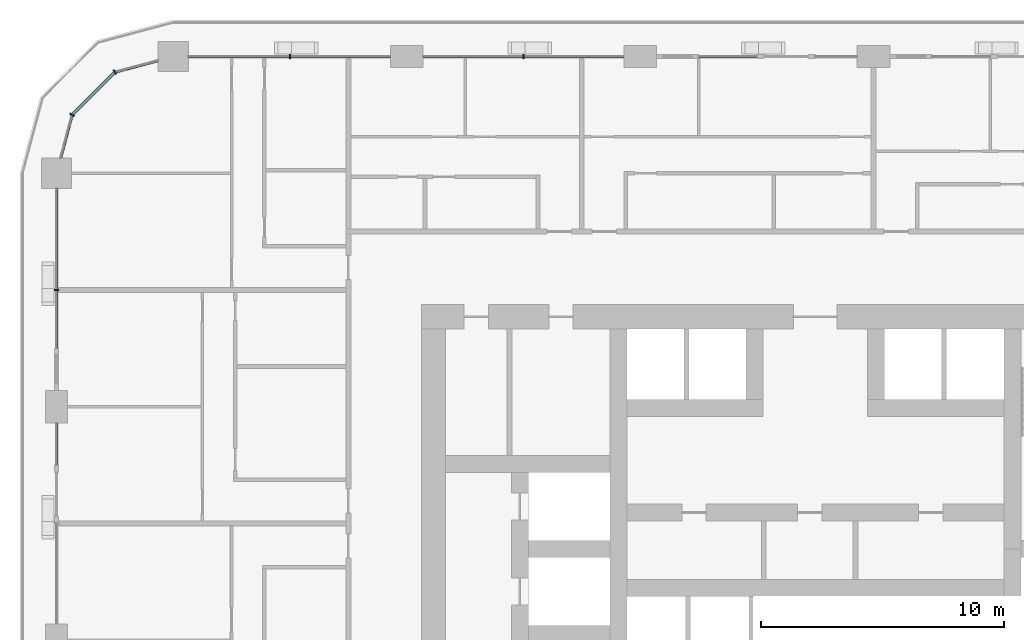
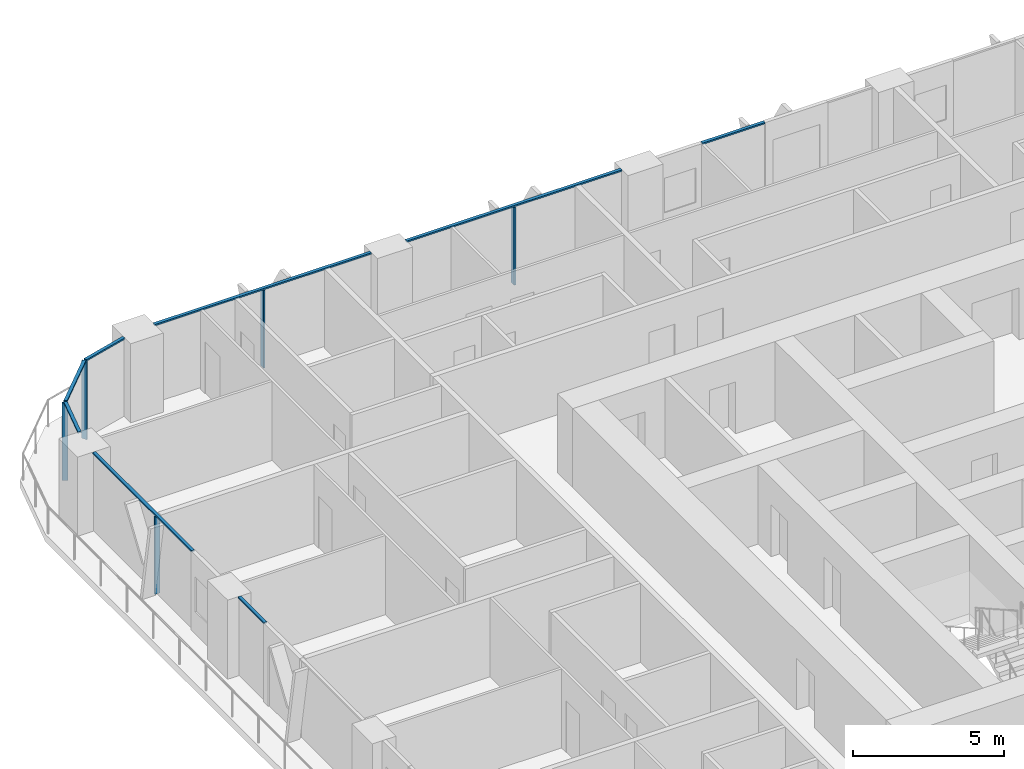
# One storey, part 5 of 21: 13 members, 6 elements without a shape of their own.
"""IFC4 building model written with IfcOpenShell, lengths in metres."""

from ifc_helpers import new_model, si_unit, direction, frame, origin, origin_2d, place, context, subcontext, project, spatial, rectangle, extrude, material, layer, layer_set, material_profile, profile_set, type_object, element, aggregate, save


model = new_model("IFC4")

# Units and contexts
model_context = context("Model", 3, precision=1e-05, world=origin(), true_north=direction((0.0, 1.0)))
body_context = subcontext(model_context, "Body", "Model", "MODEL_VIEW")
ifc_project = project(units=[si_unit("LENGTHUNIT", "METRE"), si_unit("AREAUNIT", "SQUARE_METRE"), si_unit("VOLUMEUNIT", "CUBIC_METRE"), si_unit("PLANEANGLEUNIT", "RADIAN"), si_unit("MASSUNIT", "GRAM", prefix="KILO")], contexts=[model_context])

# Site, building, storey
site_placement = place(None, origin())
site = spatial("IfcSite", under=ifc_project, at=site_placement, CompositionType="ELEMENT")
building_placement = place(site_placement, origin())
building = spatial("IfcBuilding", under=site, at=building_placement, Name="Madar Terraces", CompositionType="ELEMENT")
storey_placement = place(building_placement, frame((0.0, 0.0, 43.39990234375)))
storey = spatial("IfcBuildingStorey", under=building, at=storey_placement, Name="L10", CompositionType="ELEMENT", Elevation=43.39990234375)

# Curtain wall, member
ifc_material_1 = material(Name="Glass, ceramic frit dark grey, with black aluminium frame", Category="aluminium")
ifc_layer = layer(ifc_material_1, 0.199951171875)
ifc_layer_set = layer_set([ifc_layer], Name="Facade curtain wall, fritted glass")
curtain_wall_type = type_object("IfcCurtainWallType", Name="Facade curtain wall, fritted glass", PredefinedType="NOTDEFINED", material=ifc_layer_set)
curtain_wall_1_placement = place(storey_placement, origin())
curtain_wall_1 = element("IfcCurtainWall", 1, at=curtain_wall_1_placement, inside=storey, type_object=curtain_wall_type, Name="Outer skin curtain wall north bay 4", PredefinedType="NOTDEFINED")
ifc_material_2 = material(Name="Aluminium, black anodised", Category="aluminium")
ifc_material_profile_1 = material_profile(ifc_material_2, rectangle(XDim=0.199951171875, YDim=0.06005859375, at=origin_2d()), Name="Facade mullion 60x200")
ifc_profile_set_1 = profile_set([ifc_material_profile_1], Name="Aluminium, black anodised")
member_type_1 = type_object("IfcMemberType", Name="Facade mullion 60x200", PredefinedType="MULLION", material=ifc_profile_set_1)
member_1_placement = place(storey_placement, frame((19.199951171875, 48.0, 0.0), z_axis=(0.0, 0.0, 1.0), x_axis=(0.0, -1.0, 0.0)))
member_1 = element("IfcMember", 2, at=member_1_placement, type_object=member_type_1, Name="Mullion 1", PredefinedType="MULLION", context=body_context, shape_type="SweptSolid", body=[
    extrude(rectangle(XDim=0.199951171875, YDim=0.06005859375, at=origin_2d()), origin(), (0.0, 0.0, 1.0), 3.14013671875),
])

curtain_wall_2_placement = place(storey_placement, origin())
curtain_wall_2 = element("IfcCurtainWall", 3, at=curtain_wall_2_placement, inside=storey, type_object=curtain_wall_type, Name="Outer skin curtain wall north bay 5", PredefinedType="NOTDEFINED")
member_2_placement = place(storey_placement, frame((9.60009765625, 48.0, 0.0), z_axis=(0.0, 0.0, 1.0), x_axis=(0.0, -1.0, 0.0)))
member_2 = element("IfcMember", 4, at=member_2_placement, type_object=member_type_1, Name="Mullion 1", PredefinedType="MULLION", context=body_context, shape_type="SweptSolid", body=[
    extrude(rectangle(XDim=0.199951171875, YDim=0.06005859375, at=origin_2d()), origin(), (0.0, 0.0, 1.0), 3.14013671875),
])

curtain_wall_3_placement = place(storey_placement, origin())
curtain_wall_3 = element("IfcCurtainWall", 5, at=curtain_wall_3_placement, inside=storey, type_object=curtain_wall_type, Name="Outer skin curtain wall west bay 1", PredefinedType="NOTDEFINED")
member_3_placement = place(storey_placement, frame((0.0, 38.39990234375, 0.0), z_axis=(0.0, 0.0, 1.0), x_axis=(1.0, 0.0, 0.0)))
member_3 = element("IfcMember", 6, at=member_3_placement, type_object=member_type_1, Name="Mullion 1", PredefinedType="MULLION", context=body_context, shape_type="SweptSolid", body=[
    extrude(rectangle(XDim=0.199951171875, YDim=0.06005859375, at=origin_2d()), origin(), (0.0, 0.0, 1.0), 3.14013671875),
])

# Curtain wall, members
curtain_wall_4_placement = place(storey_placement, origin())
curtain_wall_4 = element("IfcCurtainWall", 7, at=curtain_wall_4_placement, inside=storey, type_object=curtain_wall_type, Name="Outer skin curtain wall north-west corner", PredefinedType="NOTDEFINED")
member_4_placement = place(storey_placement, frame((2.39990234375, 47.35693359375, 0.0), z_axis=(0.0, 0.0, 1.0), x_axis=(0.499999989586, -0.866025409797, 0.0)))
member_4 = element("IfcMember", 8, at=member_4_placement, type_object=member_type_1, Name="Mullion 1", PredefinedType="MULLION", context=body_context, shape_type="SweptSolid", body=[
    extrude(rectangle(XDim=0.199951171875, YDim=0.06005859375, at=origin_2d()), origin(), (0.0, 0.0, 1.0), 3.14013671875),
])
member_5_placement = place(storey_placement, frame((0.64306640625, 45.60009765625, 0.0), z_axis=(0.0, 0.0, 1.0), x_axis=(0.866025409797, -0.499999989586, 0.0)))
member_5 = element("IfcMember", 9, at=member_5_placement, type_object=member_type_1, Name="Mullion 2", PredefinedType="MULLION", context=body_context, shape_type="SweptSolid", body=[
    extrude(rectangle(XDim=0.199951171875, YDim=0.06005859375, at=origin_2d()), origin(), (0.0, 0.0, 1.0), 3.14013671875),
])

# Curtain wall, member
curtain_wall_5_placement = place(storey_placement, origin())
curtain_wall_5 = element("IfcCurtainWall", 10, at=curtain_wall_5_placement, inside=storey, type_object=curtain_wall_type, Name="Outer skin curtain wall north bay 3", PredefinedType="NOTDEFINED")
ifc_material_3 = material(Name="Aluminium, black anodised", Category="aluminium")
ifc_material_profile_2 = material_profile(ifc_material_3, rectangle(XDim=0.1201171875, YDim=0.06005859375, at=origin_2d()), Name="Facade transom 60x120")
ifc_profile_set_2 = profile_set([ifc_material_profile_2], Name="Aluminium, black anodised")
member_type_2 = type_object("IfcMemberType", Name="Facade transom 60x120", PredefinedType="USERDEFINED", material=ifc_profile_set_2)
member_6_placement = place(storey_placement, frame((28.800048828125, 48.0, 3.170166015625), z_axis=(-1.0, 0.0, 0.0), x_axis=(0.0, -1.0, 0.0)))
member_6 = element("IfcMember", 11, at=member_6_placement, type_object=member_type_2, Name="Transom 2", ObjectType="TRANSOM", PredefinedType="USERDEFINED", context=body_context, shape_type="SweptSolid", body=[
    extrude(rectangle(XDim=0.1201171875, YDim=0.06005859375, at=origin_2d()), origin(), (0.0, 0.0, 1.0), 2.400146484375),
])
aggregate(curtain_wall_5, [member_6])

# Member
member_7_placement = place(storey_placement, frame((23.324951171875, 48.0, 3.170166015625), z_axis=(-1.0, 0.0, 0.0), x_axis=(0.0, -1.0, 0.0)))
member_7 = element("IfcMember", 12, at=member_7_placement, type_object=member_type_2, Name="Transom 1", ObjectType="TRANSOM", PredefinedType="USERDEFINED", context=body_context, shape_type="SweptSolid", body=[
    extrude(rectangle(XDim=0.1201171875, YDim=0.06005859375, at=origin_2d()), origin(), (0.0, 0.0, 1.0), 8.25),
])

aggregate(curtain_wall_1, [member_1, member_7])

member_8_placement = place(storey_placement, frame((13.72509765625, 48.0, 3.170166015625), z_axis=(-1.0, 0.0, 0.0), x_axis=(0.0, -1.0, 0.0)))
member_8 = element("IfcMember", 13, at=member_8_placement, type_object=member_type_2, Name="Transom 1", ObjectType="TRANSOM", PredefinedType="USERDEFINED", context=body_context, shape_type="SweptSolid", body=[
    extrude(rectangle(XDim=0.1201171875, YDim=0.06005859375, at=origin_2d()), origin(), (0.0, 0.0, 1.0), 8.300048828125),
])

aggregate(curtain_wall_2, [member_2, member_8])

member_9_placement = place(storey_placement, frame((0.0, 42.574951171875, 3.170166015625), z_axis=(0.0, -1.0, 0.0), x_axis=(1.0, 0.0, 0.0)))
member_9 = element("IfcMember", 14, at=member_9_placement, type_object=member_type_2, Name="Transom 1", ObjectType="TRANSOM", PredefinedType="USERDEFINED", context=body_context, shape_type="SweptSolid", body=[
    extrude(rectangle(XDim=0.1201171875, YDim=0.06005859375, at=origin_2d()), origin(), (0.0, 0.0, 1.0), 6.574951171875),
])

aggregate(curtain_wall_3, [member_3, member_9])

# Curtain wall, member
curtain_wall_6_placement = place(storey_placement, origin())
curtain_wall_6 = element("IfcCurtainWall", 15, at=curtain_wall_6_placement, inside=storey, type_object=curtain_wall_type, Name="Outer skin curtain wall west bay 2", PredefinedType="NOTDEFINED")
member_10_placement = place(storey_placement, frame((0.0, 32.925048828125, 3.170166015625), z_axis=(0.0, -1.0, 0.0), x_axis=(1.0, 0.0, 0.0)))
member_10 = element("IfcMember", 16, at=member_10_placement, type_object=member_type_2, Name="Transom 1", ObjectType="TRANSOM", PredefinedType="USERDEFINED", context=body_context, shape_type="SweptSolid", body=[
    extrude(rectangle(XDim=0.1201171875, YDim=0.06005859375, at=origin_2d()), origin(), (0.0, 0.0, 1.0), 1.72509765625),
])
aggregate(curtain_wall_6, [member_10])

# Member
member_11_placement = place(storey_placement, frame((4.175048828125, 47.83251953125, 3.170166015625), z_axis=(-0.965938406667, -0.258772089929, 0.0), x_axis=(0.258772089929, -0.965938406667, 0.0)))
member_11 = element("IfcMember", 17, at=member_11_placement, type_object=member_type_2, Name="Transom 1", ObjectType="TRANSOM", PredefinedType="USERDEFINED", context=body_context, shape_type="SweptSolid", body=[
    extrude(rectangle(XDim=0.1201171875, YDim=0.06005859375, at=origin_2d()), origin(), (0.0, 0.0, 1.0), 1.8076171875),
])

member_12_placement = place(storey_placement, frame((2.37890625, 47.335693359375, 3.170166015625), z_axis=(-0.707106781187, -0.707106781187, 0.0), x_axis=(0.707106781187, -0.707106781187, 0.0)))
member_12 = element("IfcMember", 18, at=member_12_placement, type_object=member_type_2, Name="Transom 2", ObjectType="TRANSOM", PredefinedType="USERDEFINED", context=body_context, shape_type="SweptSolid", body=[
    extrude(rectangle(XDim=0.1201171875, YDim=0.06005859375, at=origin_2d()), origin(), (0.0, 0.0, 1.0), 2.4248046875),
])

member_13_placement = place(storey_placement, frame((0.63525390625, 45.571044921875, 3.170166015625), z_axis=(-0.258772089929, -0.965938406667, 0.0), x_axis=(0.965938406667, -0.258772089929, 0.0)))
member_13 = element("IfcMember", 19, at=member_13_placement, type_object=member_type_2, Name="Transom 3", ObjectType="TRANSOM", PredefinedType="USERDEFINED", context=body_context, shape_type="SweptSolid", body=[
    extrude(rectangle(XDim=0.1201171875, YDim=0.06005859375, at=origin_2d()), origin(), (0.0, 0.0, 1.0), 1.8076171875),
])

aggregate(curtain_wall_4, [member_4, member_11, member_5, member_12, member_13])

save(model, "model.ifc")
